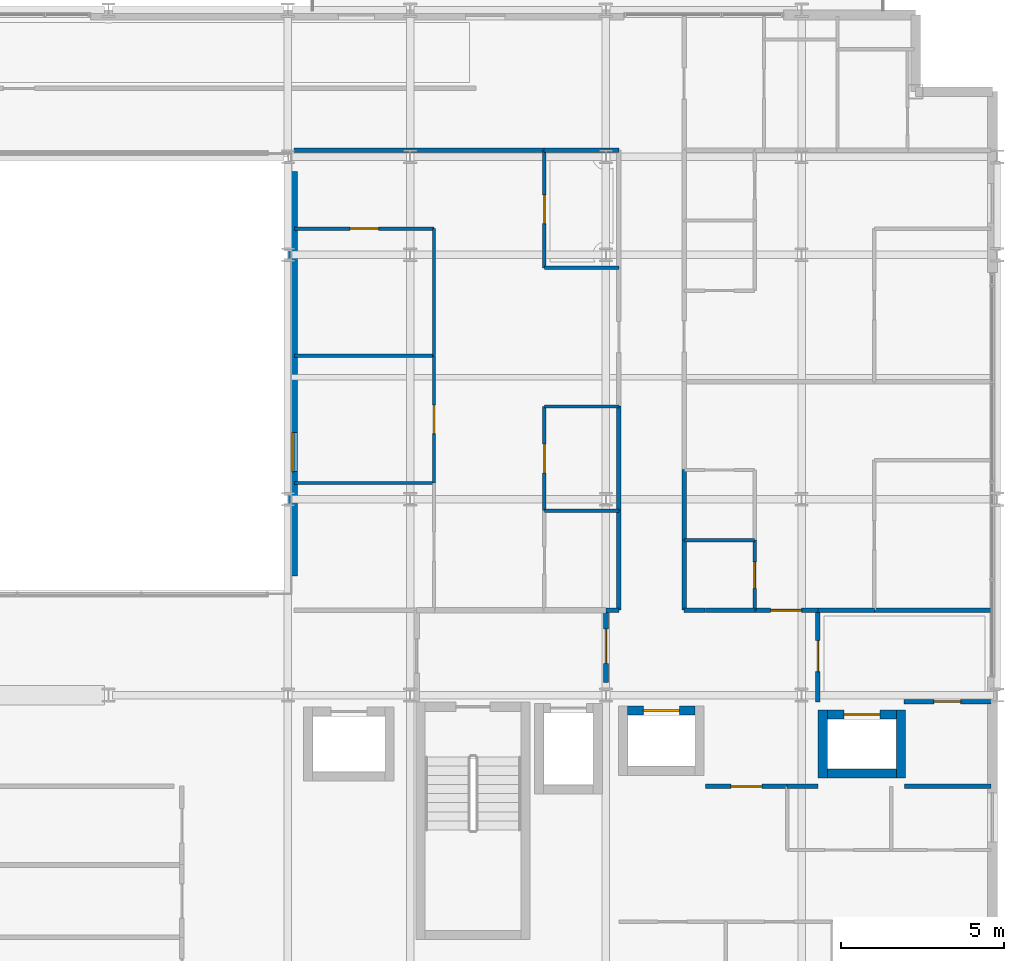
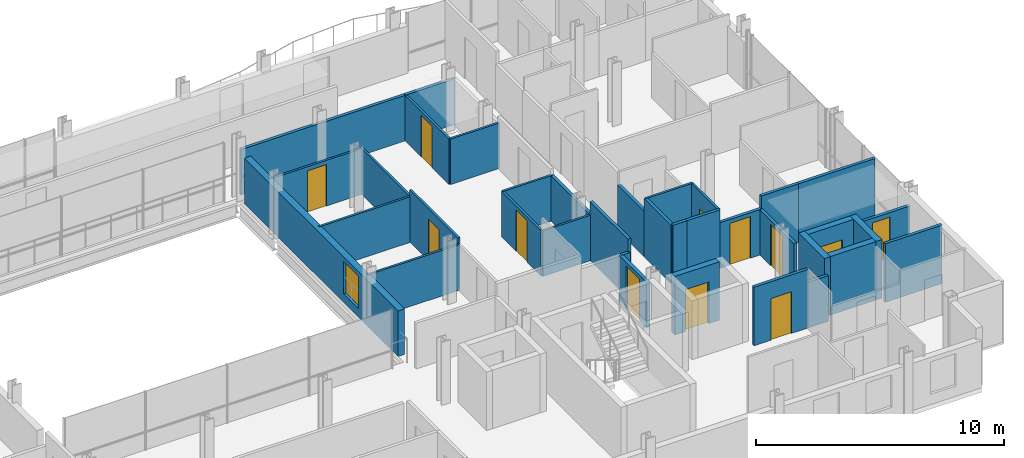
# One storey, part 35 of 41: 36 walls, 12 doors, 1 window, 13 openings.
"""IFC4 building model written with IfcOpenShell, lengths in metres."""

from ifc_helpers import new_model, si_unit, direction, frame, frame_2d, origin, place, context, subcontext, project, spatial, rectangle, extrude, material, layer, layer_set, type_object, element, fill, save


model = new_model("IFC4")

# Units and contexts
model_context = context("Model", 3, precision=1e-05, world=origin(), true_north=direction((0.0, 1.0)))
body_context = subcontext(model_context, "Body", "Model", "MODEL_VIEW")
ifc_project = project(units=[si_unit("LENGTHUNIT", "METRE"), si_unit("AREAUNIT", "SQUARE_METRE"), si_unit("VOLUMEUNIT", "CUBIC_METRE"), si_unit("PLANEANGLEUNIT", "RADIAN"), si_unit("MASSUNIT", "GRAM", prefix="KILO")], contexts=[model_context])

# Site, building, storey
site_placement = place(None, origin())
site = spatial("IfcSite", under=ifc_project, at=site_placement, CompositionType="ELEMENT")
building_placement = place(site_placement, origin())
building = spatial("IfcBuilding", under=site, at=building_placement, Name="Brevholm Reach", CompositionType="ELEMENT")
storey_placement = place(building_placement, frame((0.0, 0.0, 112.800048828125)))
storey = spatial("IfcBuildingStorey", under=building, at=storey_placement, Name="L33", CompositionType="ELEMENT", Elevation=112.800048828125)

# Wall, opening, door
ifc_material_1 = material(Name="Concrete C50/60", Category="concrete")
ifc_layer_1 = layer(ifc_material_1, 0.280029296875)
ifc_layer_set_1 = layer_set([ifc_layer_1], Name="Concrete C50/60")
wall_type_1 = type_object("IfcWallType", Name="WAL-COR-280", PredefinedType="SHEAR", material=ifc_layer_set_1)
wall_1_placement = place(storey_placement, frame((48.6650390625, 9.52490234375, 0.0), z_axis=(0.0, 0.0, 1.0), x_axis=(1.0, 0.0, 0.0)))
wall_1 = element("IfcWall", 1, at=wall_1_placement, inside=storey, type_object=wall_type_1, Name="L33 Lift PL-L1 Shaft Wall N", PredefinedType="SHEAR", context=body_context, shape_type="SweptSolid", body=[
    extrude(rectangle(XDim=2.070068359375, YDim=0.280029296875, at=frame_2d((1.03515625, 0.0))), origin(), (0.0, 0.0, 1.0), 2.8798828125),
])
opening_1_placement = place(wall_1_placement, frame((0.485107421875, 0.0, 0.0)))
opening_1 = element("IfcOpeningElement", 2, at=opening_1_placement, cuts=wall_1, Name="Opening LD-PL-L1", PredefinedType="OPENING", context=body_context, shape_type="SweptSolid", body=[
    extrude(rectangle(XDim=1.10009765625, YDim=2.06005859375, at=frame_2d((0.550048828125, 1.030029296875))), frame((0.0, 0.14990234375, 0.0), z_axis=(0.0, -1.0, 0.0), x_axis=(1.0, 0.0, 0.0)), (0.0, 0.0, 1.0), 0.300048828125),
])
ifc_material_2 = material(Name="Brushed Stainless Steel Fire-Rated Sliding Lift Door", Category="steel")
door_type_1 = type_object("IfcDoorType", Name="DOR-LFT-1100", OperationType="NOTDEFINED", PredefinedType="DOOR", material=ifc_material_2)
door_1_placement = place(opening_1_placement, origin())
door_1 = element("IfcDoor", 3, at=door_1_placement, inside=storey, type_object=door_type_1, Name="L33 Lift PL-L1 Sliding Landing Door", OperationType="SLIDING_TO_LEFT", OverallHeight=2.06005859375, OverallWidth=1.10009765625, PredefinedType="DOOR", context=body_context, shape_type="SweptSolid", body=[
    extrude(rectangle(XDim=1.10009765625, YDim=2.06005859375, at=frame_2d((0.550048828125, 1.030029296875))), frame((0.0, 0.02490234375, 0.0), z_axis=(0.0, -1.0, 0.0), x_axis=(1.0, 0.0, 0.0)), (0.0, 0.0, 1.0), 0.050048828125),
])
fill(opening_1, door_1)

# Walls
for number, where, z_axis, x_axis, name in (
    (4, (54.64990234375, 7.4599609375, 0.0), (0.0, 0.0, 1.0), (0.0, 1.0, 0.0), "L33 Lift PL-L2 Shaft Wall W"),
    (5, (57.050048828125, 7.4599609375, 0.0), (0.0, 0.0, 1.0), (0.0, 1.0, 0.0), "L33 Lift PL-L2 Shaft Wall E"),
):
    element("IfcWall", number, at=place(storey_placement, frame(where, z_axis=z_axis, x_axis=x_axis)), inside=storey, type_object=wall_type_1, Name=name, PredefinedType="SHEAR", context=body_context, shape_type="SweptSolid", body=[
        extrude(rectangle(XDim=2.080078125, YDim=0.280029296875, at=frame_2d((1.0400390625, 0.0))), origin(), (0.0, 0.0, 1.0), 2.8798828125),
    ])
wall_2_placement = place(storey_placement, frame((54.7900390625, 7.60009765625, 0.0), z_axis=(0.0, 0.0, 1.0), x_axis=(1.0, 0.0, 0.0)))
element("IfcWall", 6, at=wall_2_placement, inside=storey, type_object=wall_type_1, Name="L33 Lift PL-L2 Shaft Wall S", PredefinedType="SHEAR", context=body_context, shape_type="SweptSolid", body=[
    extrude(rectangle(XDim=2.119873046875, YDim=0.280029296875, at=frame_2d((1.06005859375, 0.0))), origin(), (0.0, 0.0, 1.0), 2.8798828125),
])

# Wall, opening, door
wall_3_placement = place(storey_placement, frame((54.7900390625, 9.39990234375, 0.0), z_axis=(0.0, 0.0, 1.0), x_axis=(1.0, 0.0, 0.0)))
wall_3 = element("IfcWall", 7, at=wall_3_placement, inside=storey, type_object=wall_type_1, Name="L33 Lift PL-L2 Shaft Wall N", PredefinedType="SHEAR", context=body_context, shape_type="SweptSolid", body=[
    extrude(rectangle(XDim=2.119873046875, YDim=0.280029296875, at=frame_2d((1.06005859375, 0.0))), origin(), (0.0, 0.0, 1.0), 2.8798828125),
])
opening_2_placement = place(wall_3_placement, frame((0.510009765625, 0.0, 0.0)))
opening_2 = element("IfcOpeningElement", 8, at=opening_2_placement, cuts=wall_3, Name="Opening LD-PL-L2", PredefinedType="OPENING", context=body_context, shape_type="SweptSolid", body=[
    extrude(rectangle(XDim=1.10009765625, YDim=2.06005859375, at=frame_2d((0.550048828125, 1.030029296875))), frame((0.0, 0.14990234375, 0.0), z_axis=(0.0, -1.0, 0.0), x_axis=(1.0, 0.0, 0.0)), (0.0, 0.0, 1.0), 0.300048828125),
])
door_2_placement = place(opening_2_placement, origin())
door_2 = element("IfcDoor", 9, at=door_2_placement, inside=storey, type_object=door_type_1, Name="L33 Lift PL-L2 Sliding Landing Door", OperationType="SLIDING_TO_RIGHT", OverallHeight=2.06005859375, OverallWidth=1.10009765625, PredefinedType="DOOR", context=body_context, shape_type="SweptSolid", body=[
    extrude(rectangle(XDim=1.10009765625, YDim=2.06005859375, at=frame_2d((0.550048828125, 1.030029296875))), frame((0.0, 0.02490234375, 0.0), z_axis=(0.0, -1.0, 0.0), x_axis=(1.0, 0.0, 0.0)), (0.0, 0.0, 1.0), 0.050048828125),
])
fill(opening_2, door_2)

# Wall, opening, window
ifc_material_3 = material(Name="Concrete C40/50", Category="concrete")
ifc_layer_2 = layer(ifc_material_3, 0.300048828125)
ifc_layer_set_2 = layer_set([ifc_layer_2], Name="Concrete C40/50")
wall_type_2 = type_object("IfcWallType", Name="WAL-EXT-300", PredefinedType="STANDARD", material=ifc_layer_set_2)
wall_4_placement = place(storey_placement, frame((38.39990234375, 13.64990234375, 0.0), z_axis=(0.0, 0.0, 1.0), x_axis=(0.0, 1.0, 0.0)))
wall_4 = element("IfcWall", 10, at=wall_4_placement, inside=storey, type_object=wall_type_2, Name="L33 Facade Wall WAL-L33-AT-E", PredefinedType="STANDARD", context=body_context, shape_type="SweptSolid", body=[
    extrude(rectangle(XDim=12.400146484375, YDim=0.300048828125, at=frame_2d((6.2001953125, 0.0))), origin(), (0.0, 0.0, 1.0), 2.24267578125),
])
opening_3_placement = place(wall_4_placement, frame((3.199951171875, 0.0, 0.423095703125)))
opening_3 = element("IfcOpeningElement", 11, at=opening_3_placement, cuts=wall_4, Name="Opening WN-08", PredefinedType="OPENING", context=body_context, shape_type="SweptSolid", body=[
    extrude(rectangle(XDim=1.199951171875, YDim=1.60009765625, at=frame_2d((0.60009765625, 0.800048828125))), frame((0.0, 0.159912109375, 0.0), z_axis=(0.0, -1.0, 0.0), x_axis=(1.0, 0.0, 0.0)), (0.0, 0.0, 1.0), 0.320068359375),
])
ifc_material_4 = material(Name="Dark Anodised Aluminium and Solar-Control IGU Glass", Category="aluminium")
window_type = type_object("IfcWindowType", Name="WIN-RES-1200", PartitioningType="SINGLE_PANEL", PredefinedType="WINDOW", material=ifc_material_4)
window_placement = place(opening_3_placement, origin())
window = element("IfcWindow", 12, at=window_placement, inside=storey, type_object=window_type, Name="L33 Window WIN-L33-AT-E1", OverallHeight=1.60009765625, OverallWidth=1.199951171875, PartitioningType="SINGLE_PANEL", PredefinedType="WINDOW", context=body_context, shape_type="SweptSolid", body=[
    extrude(rectangle(XDim=1.199951171875, YDim=1.60009765625, at=frame_2d((0.60009765625, 0.800048828125))), frame((0.0, 0.030029296875, 0.0), z_axis=(0.0, -1.0, 0.0), x_axis=(1.0, 0.0, 0.0)), (0.0, 0.0, 1.0), 0.06005859375),
])
fill(opening_3, window)

# Walls
ifc_material_5 = material(Name="Moisture-Resistant Acoustic Gypsum Stud Partition 100 mm", Category="gypsum")
ifc_layer_3 = layer(ifc_material_5, 0.10009765625)
ifc_layer_set_3 = layer_set([ifc_layer_3], Name="Moisture-Resistant Acoustic Gypsum Stud Partition 100 mm")
wall_type_3 = type_object("IfcWallType", Name="WAL-PRT-100", PredefinedType="PARTITIONING", material=ifc_layer_set_3)
for number, where, z_axis, x_axis, name in (
    (13, (46.112060546875, 15.64990234375, 0.0), (0.0, 0.0, 1.0), (1.0, 0.0, 0.0), "L33 Internal Partition 120"),
    (14, (46.112060546875, 18.85009765625, 0.0), (0.0, 0.0, 1.0), (1.0, 0.0, 0.0), "L33 Internal Partition 122"),
):
    element("IfcWall", number, at=place(storey_placement, frame(where, z_axis=z_axis, x_axis=x_axis)), inside=storey, type_object=wall_type_3, Name=name, PredefinedType="PARTITIONING", context=body_context, shape_type="SweptSolid", body=[
        extrude(rectangle(XDim=2.283935546875, YDim=0.10009765625, at=frame_2d((1.14208984375, 0.0))), origin(), (0.0, 0.0, 1.0), 2.24267578125),
    ])

# Wall, opening, door
wall_5_placement = place(storey_placement, frame((46.112060546875, 15.654052734375, 0.0), z_axis=(0.0, 0.0, 1.0), x_axis=(0.0, 1.0, 0.0)))
wall_5 = element("IfcWall", 15, at=wall_5_placement, inside=storey, type_object=wall_type_3, Name="L33 Internal Partition 123", PredefinedType="PARTITIONING", context=body_context, shape_type="SweptSolid", body=[
    extrude(rectangle(XDim=3.196044921875, YDim=0.10009765625, at=frame_2d((1.59814453125, 0.0))), origin(), (0.0, 0.0, 1.0), 2.24267578125),
])
opening_4_placement = place(wall_5_placement, frame((1.157958984375, 0.0, 0.0)))
opening_4 = element("IfcOpeningElement", 16, at=opening_4_placement, cuts=wall_5, Name="Opening ID-01", PredefinedType="OPENING", context=body_context, shape_type="SweptSolid", body=[
    extrude(rectangle(XDim=0.8798828125, YDim=2.0400390625, at=frame_2d((0.43994140625, 1.02001953125))), frame((0.0, 0.06005859375, 0.0), z_axis=(0.0, -1.0, 0.0), x_axis=(1.0, 0.0, 0.0)), (0.0, 0.0, 1.0), 0.1201171875),
])
ifc_material_6 = material(Name="Lacquered Ash Solid-Core Acoustic Internal Door", Category="timber")
door_type_2 = type_object("IfcDoorType", Name="DOR-INT-880", OperationType="NOTDEFINED", PredefinedType="DOOR", material=ifc_material_6)
door_3_placement = place(opening_4_placement, origin())
door_3 = element("IfcDoor", 17, at=door_3_placement, inside=storey, type_object=door_type_2, Name="L33 Internal Door 045", OperationType="SINGLE_SWING_LEFT", OverallHeight=2.0400390625, OverallWidth=0.8798828125, PredefinedType="DOOR", context=body_context, shape_type="SweptSolid", body=[
    extrude(rectangle(XDim=0.8798828125, YDim=2.0400390625, at=frame_2d((0.43994140625, 1.02001953125))), frame((0.0, 0.02490234375, 0.0), z_axis=(0.0, -1.0, 0.0), x_axis=(1.0, 0.0, 0.0)), (0.0, 0.0, 1.0), 0.050048828125),
])
fill(opening_4, door_3)

# Wall
wall_6_placement = place(storey_placement, frame((46.112060546875, 23.10009765625, 0.0), z_axis=(0.0, 0.0, 1.0), x_axis=(1.0, 0.0, 0.0)))
element("IfcWall", 18, at=wall_6_placement, inside=storey, type_object=wall_type_3, Name="L33 Internal Partition 124", PredefinedType="PARTITIONING", context=body_context, shape_type="SweptSolid", body=[
    extrude(rectangle(XDim=2.283935546875, YDim=0.10009765625, at=frame_2d((1.14208984375, 0.0))), origin(), (0.0, 0.0, 1.0), 2.24267578125),
])

# Wall, opening, door
wall_7_placement = place(storey_placement, frame((46.112060546875, 23.10009765625, 0.0), z_axis=(0.0, 0.0, 1.0), x_axis=(0.0, 1.0, 0.0)))
wall_7 = element("IfcWall", 19, at=wall_7_placement, inside=storey, type_object=wall_type_3, Name="L33 Internal Partition 125", PredefinedType="PARTITIONING", context=body_context, shape_type="SweptSolid", body=[
    extrude(rectangle(XDim=3.595947265625, YDim=0.10009765625, at=frame_2d((1.7978515625, 0.0))), origin(), (0.0, 0.0, 1.0), 2.24267578125),
])
opening_5_placement = place(wall_7_placement, frame((1.35791015625, 0.0, 0.0)))
opening_5 = element("IfcOpeningElement", 20, at=opening_5_placement, cuts=wall_7, Name="Opening ID-01", PredefinedType="OPENING", context=body_context, shape_type="SweptSolid", body=[
    extrude(rectangle(XDim=0.8798828125, YDim=2.0400390625, at=frame_2d((0.43994140625, 1.02001953125))), frame((0.0, 0.06005859375, 0.0), z_axis=(0.0, -1.0, 0.0), x_axis=(1.0, 0.0, 0.0)), (0.0, 0.0, 1.0), 0.1201171875),
])
door_4_placement = place(opening_5_placement, origin())
door_4 = element("IfcDoor", 21, at=door_4_placement, inside=storey, type_object=door_type_2, Name="L33 Internal Door 046", OperationType="SINGLE_SWING_RIGHT", OverallHeight=2.0400390625, OverallWidth=0.8798828125, PredefinedType="DOOR", context=body_context, shape_type="SweptSolid", body=[
    extrude(rectangle(XDim=0.8798828125, YDim=2.0400390625, at=frame_2d((0.43994140625, 1.02001953125))), frame((0.0, 0.02490234375, 0.0), z_axis=(0.0, -1.0, 0.0), x_axis=(1.0, 0.0, 0.0)), (0.0, 0.0, 1.0), 0.050048828125),
])
fill(opening_5, door_4)

# Walls
for number, where, z_axis, x_axis, name in (
    (22, (38.449951171875, 16.5, 0.0), (0.0, 0.0, 1.0), (1.0, 0.0, 0.0), "L33 Internal Partition 126"),
    (23, (38.449951171875, 20.39990234375, 0.0), (0.0, 0.0, 1.0), (1.0, 0.0, 0.0), "L33 Internal Partition 128"),
):
    element("IfcWall", number, at=place(storey_placement, frame(where, z_axis=z_axis, x_axis=x_axis)), inside=storey, type_object=wall_type_3, Name=name, PredefinedType="PARTITIONING", context=body_context, shape_type="SweptSolid", body=[
        extrude(rectangle(XDim=4.278076171875, YDim=0.10009765625, at=frame_2d((2.13916015625, 0.0))), origin(), (0.0, 0.0, 1.0), 2.24267578125),
    ])

# Wall, opening, door
wall_8_placement = place(storey_placement, frame((42.72802734375, 16.50390625, 0.0), z_axis=(0.0, 0.0, 1.0), x_axis=(0.0, 1.0, 0.0)))
wall_8 = element("IfcWall", 24, at=wall_8_placement, inside=storey, type_object=wall_type_3, Name="L33 Internal Partition 129", PredefinedType="PARTITIONING", context=body_context, shape_type="SweptSolid", body=[
    extrude(rectangle(XDim=3.89599609375, YDim=0.10009765625, at=frame_2d((1.947998046875, 0.0))), origin(), (0.0, 0.0, 1.0), 2.551513671875),
])
opening_6_placement = place(wall_8_placement, frame((1.508056640625, 0.0, 0.0)))
opening_6 = element("IfcOpeningElement", 25, at=opening_6_placement, cuts=wall_8, Name="Opening ID-01", PredefinedType="OPENING", context=body_context, shape_type="SweptSolid", body=[
    extrude(rectangle(XDim=0.8798828125, YDim=2.0400390625, at=frame_2d((0.43994140625, 1.02001953125))), frame((0.0, 0.06005859375, 0.0), z_axis=(0.0, -1.0, 0.0), x_axis=(1.0, 0.0, 0.0)), (0.0, 0.0, 1.0), 0.1201171875),
])
door_5_placement = place(opening_6_placement, origin())
door_5 = element("IfcDoor", 26, at=door_5_placement, inside=storey, type_object=door_type_2, Name="L33 Internal Door 048", OperationType="SINGLE_SWING_RIGHT", OverallHeight=2.0400390625, OverallWidth=0.8798828125, PredefinedType="DOOR", context=body_context, shape_type="SweptSolid", body=[
    extrude(rectangle(XDim=0.8798828125, YDim=2.0400390625, at=frame_2d((0.43994140625, 1.02001953125))), frame((0.0, 0.02490234375, 0.0), z_axis=(0.0, -1.0, 0.0), x_axis=(1.0, 0.0, 0.0)), (0.0, 0.0, 1.0), 0.050048828125),
])
fill(opening_6, door_5)

# Wall
wall_9_placement = place(storey_placement, frame((42.72802734375, 20.404052734375, 0.0), z_axis=(0.0, 0.0, 1.0), x_axis=(0.0, 1.0, 0.0)))
element("IfcWall", 27, at=wall_9_placement, inside=storey, type_object=wall_type_3, Name="L33 Internal Partition 130", PredefinedType="PARTITIONING", context=body_context, shape_type="SweptSolid", body=[
    extrude(rectangle(XDim=3.89599609375, YDim=0.10009765625, at=frame_2d((1.947998046875, 0.0))), origin(), (0.0, 0.0, 1.0), 2.24267578125),
])

# Wall, opening, door
wall_10_placement = place(storey_placement, frame((38.449951171875, 24.300048828125, 0.0), z_axis=(0.0, 0.0, 1.0), x_axis=(1.0, 0.0, 0.0)))
wall_10 = element("IfcWall", 28, at=wall_10_placement, inside=storey, type_object=wall_type_3, Name="L33 Internal Partition 131", PredefinedType="PARTITIONING", context=body_context, shape_type="SweptSolid", body=[
    extrude(rectangle(XDim=4.278076171875, YDim=0.10009765625, at=frame_2d((2.13916015625, 0.0))), origin(), (0.0, 0.0, 1.0), 2.24267578125),
])
opening_7_placement = place(wall_10_placement, frame((1.698974609375, 0.0, 0.0)))
opening_7 = element("IfcOpeningElement", 29, at=opening_7_placement, cuts=wall_10, Name="Opening ID-01", PredefinedType="OPENING", context=body_context, shape_type="SweptSolid", body=[
    extrude(rectangle(XDim=0.8798828125, YDim=2.0400390625, at=frame_2d((0.43994140625, 1.02001953125))), frame((0.0, 0.06005859375, 0.0), z_axis=(0.0, -1.0, 0.0), x_axis=(1.0, 0.0, 0.0)), (0.0, 0.0, 1.0), 0.1201171875),
])
door_6_placement = place(opening_7_placement, origin())
door_6 = element("IfcDoor", 30, at=door_6_placement, inside=storey, type_object=door_type_2, Name="L33 Internal Door 049", OperationType="SINGLE_SWING_LEFT", OverallHeight=2.0400390625, OverallWidth=0.8798828125, PredefinedType="DOOR", context=body_context, shape_type="SweptSolid", body=[
    extrude(rectangle(XDim=0.8798828125, YDim=2.0400390625, at=frame_2d((0.43994140625, 1.02001953125))), frame((0.0, 0.02490234375, 0.0), z_axis=(0.0, -1.0, 0.0), x_axis=(1.0, 0.0, 0.0)), (0.0, 0.0, 1.0), 0.050048828125),
])
fill(opening_7, door_6)

# Wall
wall_11_placement = place(storey_placement, frame((50.404052734375, 14.75, 0.0), z_axis=(0.0, 0.0, 1.0), x_axis=(1.0, 0.0, 0.0)))
element("IfcWall", 31, at=wall_11_placement, inside=storey, type_object=wall_type_3, Name="L33 Internal Partition 132", PredefinedType="PARTITIONING", context=body_context, shape_type="SweptSolid", body=[
    extrude(rectangle(XDim=2.157958984375, YDim=0.10009765625, at=frame_2d((1.0791015625, 0.0))), origin(), (0.0, 0.0, 1.0), 2.8798828125),
])

# Wall, opening, door
wall_12_placement = place(storey_placement, frame((52.56201171875, 12.60400390625, 0.0), z_axis=(0.0, 0.0, 1.0), x_axis=(0.0, 1.0, 0.0)))
wall_12 = element("IfcWall", 32, at=wall_12_placement, inside=storey, type_object=wall_type_3, Name="L33 Internal Partition 133", PredefinedType="PARTITIONING", context=body_context, shape_type="SweptSolid", body=[
    extrude(rectangle(XDim=2.14599609375, YDim=0.10009765625, at=frame_2d((1.072998046875, 0.0))), origin(), (0.0, 0.0, 1.0), 2.8798828125),
])
opening_8_placement = place(wall_12_placement, frame((0.6630859375, 0.0, 0.0)))
opening_8 = element("IfcOpeningElement", 33, at=opening_8_placement, cuts=wall_12, Name="Opening ID-03", PredefinedType="OPENING", context=body_context, shape_type="SweptSolid", body=[
    extrude(rectangle(XDim=0.820068359375, YDim=2.02001953125, at=frame_2d((0.41015625, 1.010009765625))), frame((0.0, 0.06005859375, 0.0), z_axis=(0.0, -1.0, 0.0), x_axis=(1.0, 0.0, 0.0)), (0.0, 0.0, 1.0), 0.1201171875),
])
ifc_material_7 = material(Name="Moisture-Resistant Painted Timber Internal Bathroom Door", Category="wood")
door_type_3 = type_object("IfcDoorType", Name="DOR-BATH-820", OperationType="NOTDEFINED", PredefinedType="DOOR", material=ifc_material_7)
door_7_placement = place(opening_8_placement, origin())
door_7 = element("IfcDoor", 34, at=door_7_placement, inside=storey, type_object=door_type_3, Name="L33 Internal Door 050", OperationType="SINGLE_SWING_RIGHT", OverallHeight=2.02001953125, OverallWidth=0.820068359375, PredefinedType="DOOR", context=body_context, shape_type="SweptSolid", body=[
    extrude(rectangle(XDim=0.820068359375, YDim=2.02001953125, at=frame_2d((0.41015625, 1.010009765625))), frame((0.0, 0.02490234375, 0.0), z_axis=(0.0, -1.0, 0.0), x_axis=(1.0, 0.0, 0.0)), (0.0, 0.0, 1.0), 0.050048828125),
])
fill(opening_8, door_7)

ifc_material_8 = material(Name="Twin-Stud Acoustic Fire-Rated Gypsum Partition 140 mm", Category="gypsum")
ifc_layer_4 = layer(ifc_material_8, 0.139892578125)
ifc_layer_set_4 = layer_set([ifc_layer_4], Name="Twin-Stud Acoustic Fire-Rated Gypsum Partition 140 mm")
wall_type_4 = type_object("IfcWallType", Name="WAL-PRT-140", PredefinedType="PARTITIONING", material=ifc_layer_set_4)
wall_13_placement = place(storey_placement, frame((54.5, 9.788818359375, 0.0), z_axis=(0.0, 0.0, 1.0), x_axis=(0.0, 1.0, 0.0)))
wall_13 = element("IfcWall", 35, at=wall_13_placement, inside=storey, type_object=wall_type_4, Name="L33 Internal Partition 008", PredefinedType="PARTITIONING", context=body_context, shape_type="SweptSolid", body=[
    extrude(rectangle(XDim=2.811279296875, YDim=0.139892578125, at=frame_2d((1.40576171875, 0.0))), origin(), (0.0, 0.0, 1.0), 2.24267578125),
])
opening_9_placement = place(wall_13_placement, frame((0.9306640625, 0.0, 0.0)))
opening_9 = element("IfcOpeningElement", 36, at=opening_9_placement, cuts=wall_13, Name="Opening ID-30", PredefinedType="OPENING", context=body_context, shape_type="SweptSolid", body=[
    extrude(rectangle(XDim=0.949951171875, YDim=2.050048828125, at=frame_2d((0.47509765625, 1.02490234375))), frame((0.0, 0.079833984375, 0.0), z_axis=(0.0, -1.0, 0.0), x_axis=(1.0, 0.0, 0.0)), (0.0, 0.0, 1.0), 0.159912109375),
])
ifc_material_9 = material(Name="European Oak Veneered Solid-Core Fire Entrance Door", Category="timber")
door_type_4 = type_object("IfcDoorType", Name="DOR-FLT-FD30S", OperationType="NOTDEFINED", PredefinedType="DOOR", material=ifc_material_9)
door_8_placement = place(opening_9_placement, origin())
door_8 = element("IfcDoor", 37, at=door_8_placement, inside=storey, type_object=door_type_4, Name="L33 Internal Door 006", OperationType="SINGLE_SWING_RIGHT", OverallHeight=2.050048828125, OverallWidth=0.949951171875, PredefinedType="DOOR", context=body_context, shape_type="SweptSolid", body=[
    extrude(rectangle(XDim=0.949951171875, YDim=2.050048828125, at=frame_2d((0.47509765625, 1.02490234375))), frame((0.0, 0.02490234375, 0.0), z_axis=(0.0, -1.0, 0.0), x_axis=(1.0, 0.0, 0.0)), (0.0, 0.0, 1.0), 0.050048828125),
])
fill(opening_9, door_8)

# Wall
wall_14_placement = place(storey_placement, frame((53.546630859375, 7.199951171875, 0.0), z_axis=(0.0, 0.0, 1.0), x_axis=(1.0, 0.0, 0.0)))
element("IfcWall", 38, at=wall_14_placement, inside=storey, type_object=wall_type_4, Name="L33 Internal Partition 009", PredefinedType="PARTITIONING", context=body_context, shape_type="SweptSolid", body=[
    extrude(rectangle(XDim=0.953369140625, YDim=0.139892578125, at=frame_2d((0.4765625, 0.0))), origin(), (0.0, 0.0, 1.0), 2.24267578125),
])

# Wall, opening, door
wall_15_placement = place(storey_placement, frame((51.050048828125, 7.199951171875, 0.0), z_axis=(0.0, 0.0, 1.0), x_axis=(1.0, 0.0, 0.0)))
wall_15 = element("IfcWall", 39, at=wall_15_placement, inside=storey, type_object=wall_type_4, Name="L33 Internal Partition 010", PredefinedType="PARTITIONING", context=body_context, shape_type="SweptSolid", body=[
    extrude(rectangle(XDim=2.51513671875, YDim=0.139892578125, at=frame_2d((1.257568359375, 0.0))), origin(), (0.0, 0.0, 1.0), 2.8798828125),
])
opening_10_placement = place(wall_15_placement, frame((0.78271484375, 0.0, 0.0)))
opening_10 = element("IfcOpeningElement", 40, at=opening_10_placement, cuts=wall_15, Name="Opening ID-30", PredefinedType="OPENING", context=body_context, shape_type="SweptSolid", body=[
    extrude(rectangle(XDim=0.949951171875, YDim=2.050048828125, at=frame_2d((0.47509765625, 1.02490234375))), frame((0.0, 0.079833984375, 0.0), z_axis=(0.0, -1.0, 0.0), x_axis=(1.0, 0.0, 0.0)), (0.0, 0.0, 1.0), 0.159912109375),
])
door_9_placement = place(opening_10_placement, origin())
door_9 = element("IfcDoor", 41, at=door_9_placement, inside=storey, type_object=door_type_4, Name="L33 Internal Door 007", OperationType="SINGLE_SWING_LEFT", OverallHeight=2.050048828125, OverallWidth=0.949951171875, PredefinedType="DOOR", context=body_context, shape_type="SweptSolid", body=[
    extrude(rectangle(XDim=0.949951171875, YDim=2.050048828125, at=frame_2d((0.47509765625, 1.02490234375))), frame((0.0, 0.02490234375, 0.0), z_axis=(0.0, -1.0, 0.0), x_axis=(1.0, 0.0, 0.0)), (0.0, 0.0, 1.0), 0.050048828125),
])
fill(opening_10, door_9)

# Wall
wall_16_placement = place(storey_placement, frame((51.050048828125, 12.60009765625, 0.0), z_axis=(0.0, 0.0, 1.0), x_axis=(1.0, 0.0, 0.0)))
element("IfcWall", 42, at=wall_16_placement, inside=storey, type_object=wall_type_4, Name="L33 Internal Partition 011", PredefinedType="PARTITIONING", context=body_context, shape_type="SweptSolid", body=[
    extrude(rectangle(XDim=1.523193359375, YDim=0.139892578125, at=frame_2d((0.76171875, 0.0))), origin(), (0.0, 0.0, 1.0), 2.8798828125),
])

# Wall, opening, door
wall_17_placement = place(storey_placement, frame((52.5546875, 12.60009765625, 0.0), z_axis=(0.0, 0.0, 1.0), x_axis=(1.0, 0.0, 0.0)))
wall_17 = element("IfcWall", 43, at=wall_17_placement, inside=storey, type_object=wall_type_4, Name="L33 Internal Partition 012", PredefinedType="PARTITIONING", context=body_context, shape_type="SweptSolid", body=[
    extrude(rectangle(XDim=1.9453125, YDim=0.139892578125, at=frame_2d((0.97265625, 0.0))), origin(), (0.0, 0.0, 1.0), 2.24267578125),
])
opening_11_placement = place(wall_17_placement, frame((0.497802734375, 0.0, 0.0)))
opening_11 = element("IfcOpeningElement", 44, at=opening_11_placement, cuts=wall_17, Name="Opening ID-30", PredefinedType="OPENING", context=body_context, shape_type="SweptSolid", body=[
    extrude(rectangle(XDim=0.949951171875, YDim=2.050048828125, at=frame_2d((0.47509765625, 1.02490234375))), frame((0.0, 0.079833984375, 0.0), z_axis=(0.0, -1.0, 0.0), x_axis=(1.0, 0.0, 0.0)), (0.0, 0.0, 1.0), 0.159912109375),
])
door_10_placement = place(opening_11_placement, origin())
door_10 = element("IfcDoor", 45, at=door_10_placement, inside=storey, type_object=door_type_4, Name="L33 Internal Door 008", OperationType="SINGLE_SWING_RIGHT", OverallHeight=2.050048828125, OverallWidth=0.949951171875, PredefinedType="DOOR", context=body_context, shape_type="SweptSolid", body=[
    extrude(rectangle(XDim=0.949951171875, YDim=2.050048828125, at=frame_2d((0.47509765625, 1.02490234375))), frame((0.0, 0.02490234375, 0.0), z_axis=(0.0, -1.0, 0.0), x_axis=(1.0, 0.0, 0.0)), (0.0, 0.0, 1.0), 0.050048828125),
])
fill(opening_11, door_10)

# Walls
wall_18_placement = place(storey_placement, frame((48.00390625, 12.60009765625, 0.0), z_axis=(0.0, 0.0, 1.0), x_axis=(1.0, 0.0, 0.0)))
element("IfcWall", 46, at=wall_18_placement, inside=storey, type_object=wall_type_4, Name="L33 Internal Partition 031", PredefinedType="PARTITIONING", context=body_context, shape_type="SweptSolid", body=[
    extrude(rectangle(XDim=0.4033203125, YDim=0.139892578125, at=frame_2d((0.20166015625, 0.0))), origin(), (0.0, 0.0, 1.0), 2.24267578125),
])
wall_19_placement = place(storey_placement, frame((50.392578125, 12.60009765625, 0.0), z_axis=(0.0, 0.0, 1.0), x_axis=(1.0, 0.0, 0.0)))
element("IfcWall", 47, at=wall_19_placement, inside=storey, type_object=wall_type_4, Name="L33 Internal Partition 032", PredefinedType="PARTITIONING", context=body_context, shape_type="SweptSolid", body=[
    extrude(rectangle(XDim=0.6533203125, YDim=0.139892578125, at=frame_2d((0.32666015625, 0.0))), origin(), (0.0, 0.0, 1.0), 2.8798828125),
])
wall_20_placement = place(storey_placement, frame((48.39990234375, 12.60400390625, 0.0), z_axis=(0.0, 0.0, 1.0), x_axis=(0.0, 1.0, 0.0)))
element("IfcWall", 48, at=wall_20_placement, inside=storey, type_object=wall_type_4, Name="L33 Internal Partition 046", PredefinedType="PARTITIONING", context=body_context, shape_type="SweptSolid", body=[
    extrude(rectangle(XDim=3.057373046875, YDim=0.139892578125, at=frame_2d((1.52880859375, 0.0))), origin(), (0.0, 0.0, 1.0), 2.8798828125),
])
wall_21_placement = place(storey_placement, frame((48.39990234375, 15.642578125, 0.0), z_axis=(0.0, 0.0, 1.0), x_axis=(0.0, 1.0, 0.0)))
element("IfcWall", 49, at=wall_21_placement, inside=storey, type_object=wall_type_4, Name="L33 Internal Partition 047", PredefinedType="PARTITIONING", context=body_context, shape_type="SweptSolid", body=[
    extrude(rectangle(XDim=3.21875, YDim=0.139892578125, at=frame_2d((1.609375, 0.0))), origin(), (0.0, 0.0, 1.0), 2.24267578125),
])
wall_22_placement = place(storey_placement, frame((50.39990234375, 12.60400390625, 0.0), z_axis=(0.0, 0.0, 1.0), x_axis=(0.0, 1.0, 0.0)))
element("IfcWall", 50, at=wall_22_placement, inside=storey, type_object=wall_type_4, Name="L33 Internal Partition 050", PredefinedType="PARTITIONING", context=body_context, shape_type="SweptSolid", body=[
    extrude(rectangle(XDim=2.1572265625, YDim=0.139892578125, at=frame_2d((1.07861328125, 0.0))), origin(), (0.0, 0.0, 1.0), 2.8798828125),
])
wall_23_placement = place(storey_placement, frame((50.39990234375, 14.74267578125, 0.0), z_axis=(0.0, 0.0, 1.0), x_axis=(0.0, 1.0, 0.0)))
element("IfcWall", 51, at=wall_23_placement, inside=storey, type_object=wall_type_4, Name="L33 Internal Partition 051", PredefinedType="PARTITIONING", context=body_context, shape_type="SweptSolid", body=[
    extrude(rectangle(XDim=2.168701171875, YDim=0.139892578125, at=frame_2d((1.08447265625, 0.0))), origin(), (0.0, 0.0, 1.0), 2.24267578125),
])
wall_24_placement = place(storey_placement, frame((46.1005859375, 26.699951171875, 0.0), z_axis=(0.0, 0.0, 1.0), x_axis=(1.0, 0.0, 0.0)))
element("IfcWall", 52, at=wall_24_placement, inside=storey, type_object=wall_type_4, Name="L33 Internal Partition 059", PredefinedType="PARTITIONING", context=body_context, shape_type="SweptSolid", body=[
    extrude(rectangle(XDim=2.29541015625, YDim=0.139892578125, at=frame_2d((1.147705078125, 0.0))), origin(), (0.0, 0.0, 1.0), 2.24267578125),
])
wall_25_placement = place(storey_placement, frame((38.438720703125, 26.699951171875, 0.0), z_axis=(0.0, 0.0, 1.0), x_axis=(1.0, 0.0, 0.0)))
element("IfcWall", 53, at=wall_25_placement, inside=storey, type_object=wall_type_4, Name="L33 Internal Partition 060", PredefinedType="PARTITIONING", context=body_context, shape_type="SweptSolid", body=[
    extrude(rectangle(XDim=7.6806640625, YDim=0.139892578125, at=frame_2d((3.84033203125, 0.0))), origin(), (0.0, 0.0, 1.0), 2.24267578125),
])

# Wall, opening, door
wall_26_placement = place(storey_placement, frame((57.138671875, 9.800048828125, 0.0), z_axis=(0.0, 0.0, 1.0), x_axis=(1.0, 0.0, 0.0)))
wall_26 = element("IfcWall", 54, at=wall_26_placement, inside=storey, type_object=wall_type_4, Name="L33 Internal Partition 075", PredefinedType="PARTITIONING", context=body_context, shape_type="SweptSolid", body=[
    extrude(rectangle(XDim=2.661376953125, YDim=0.139892578125, at=frame_2d((1.33056640625, 0.0))), origin(), (0.0, 0.0, 1.0), 2.24267578125),
])
opening_12_placement = place(wall_26_placement, frame((0.920654296875, 0.0, 0.0)))
opening_12 = element("IfcOpeningElement", 55, at=opening_12_placement, cuts=wall_26, Name="Opening ID-02", PredefinedType="OPENING", context=body_context, shape_type="SweptSolid", body=[
    extrude(rectangle(XDim=0.820068359375, YDim=2.02001953125, at=frame_2d((0.41015625, 1.010009765625))), frame((0.0, 0.079833984375, 0.0), z_axis=(0.0, -1.0, 0.0), x_axis=(1.0, 0.0, 0.0)), (0.0, 0.0, 1.0), 0.159912109375),
])
ifc_material_10 = material(Name="Moisture-Resistant Painted Timber Fire-Rated Riser and Service Door", Category="wood")
door_type_5 = type_object("IfcDoorType", Name="DOR-SRV-820", OperationType="NOTDEFINED", PredefinedType="DOOR", material=ifc_material_10)
door_11_placement = place(opening_12_placement, origin())
door_11 = element("IfcDoor", 56, at=door_11_placement, inside=storey, type_object=door_type_5, Name="L33 Access Door 060", OperationType="SINGLE_SWING_RIGHT", OverallHeight=2.02001953125, OverallWidth=0.820068359375, PredefinedType="DOOR", context=body_context, shape_type="SweptSolid", body=[
    extrude(rectangle(XDim=0.820068359375, YDim=2.02001953125, at=frame_2d((0.41015625, 1.010009765625))), frame((0.0, 0.02490234375, 0.0), z_axis=(0.0, -1.0, 0.0), x_axis=(1.0, 0.0, 0.0)), (0.0, 0.0, 1.0), 0.050048828125),
])
fill(opening_12, door_11)

# Walls
wall_27_placement = place(storey_placement, frame((56.216796875, 12.60009765625, 0.0), z_axis=(0.0, 0.0, 1.0), x_axis=(1.0, 0.0, 0.0)))
element("IfcWall", 57, at=wall_27_placement, inside=storey, type_object=wall_type_4, Name="L33 Internal Partition 076", PredefinedType="PARTITIONING", context=body_context, shape_type="SweptSolid", body=[
    extrude(rectangle(XDim=3.583251953125, YDim=0.139892578125, at=frame_2d((1.79150390625, 0.0))), origin(), (0.0, 0.0, 1.0), 2.8798828125),
])
wall_28_placement = place(storey_placement, frame((54.50390625, 12.60009765625, 0.0), z_axis=(0.0, 0.0, 1.0), x_axis=(1.0, 0.0, 0.0)))
element("IfcWall", 58, at=wall_28_placement, inside=storey, type_object=wall_type_4, Name="L33 Internal Partition 077", PredefinedType="PARTITIONING", context=body_context, shape_type="SweptSolid", body=[
    extrude(rectangle(XDim=1.7314453125, YDim=0.139892578125, at=frame_2d((0.86572265625, 0.0))), origin(), (0.0, 0.0, 1.0), 2.8798828125),
])
wall_29_placement = place(storey_placement, frame((57.14990234375, 7.199951171875, 0.0), z_axis=(0.0, 0.0, 1.0), x_axis=(1.0, 0.0, 0.0)))
element("IfcWall", 59, at=wall_29_placement, inside=storey, type_object=wall_type_4, Name="L33 Internal Partition 078", PredefinedType="PARTITIONING", context=body_context, shape_type="SweptSolid", body=[
    extrude(rectangle(XDim=2.650146484375, YDim=0.139892578125, at=frame_2d((1.3251953125, 0.0))), origin(), (0.0, 0.0, 1.0), 2.8798828125),
])

# Wall, opening, door
ifc_material_11 = material(Name="Twin-Frame Fire-Rated Gypsum Board and Mineral Wool 160 mm", Category="gypsum")
ifc_layer_5 = layer(ifc_material_11, 0.159912109375)
ifc_layer_set_5 = layer_set([ifc_layer_5], Name="Twin-Frame Fire-Rated Gypsum Board and Mineral Wool 160 mm")
wall_type_5 = type_object("IfcWallType", Name="WAL-PRT-160", PredefinedType="PARTITIONING", material=ifc_layer_set_5)
wall_30_placement = place(storey_placement, frame((48.0, 10.388671875, 0.0), z_axis=(0.0, 0.0, 1.0), x_axis=(0.0, 1.0, 0.0)))
wall_30 = element("IfcWall", 60, at=wall_30_placement, inside=storey, type_object=wall_type_5, Name="L33 Internal Partition 020", PredefinedType="PARTITIONING", context=body_context, shape_type="SweptSolid", body=[
    extrude(rectangle(XDim=2.21142578125, YDim=0.159912109375, at=frame_2d((1.105712890625, 0.0))), origin(), (0.0, 0.0, 1.0), 2.24267578125),
])
opening_13_placement = place(wall_30_placement, frame((0.58056640625, 0.0, 0.0)))
opening_13 = element("IfcOpeningElement", 61, at=opening_13_placement, cuts=wall_30, Name="Opening FD-01", PredefinedType="OPENING", context=body_context, shape_type="SweptSolid", body=[
    extrude(rectangle(XDim=1.050048828125, YDim=2.06005859375, at=frame_2d((0.52490234375, 1.030029296875))), frame((0.0, 0.08984375, 0.0), z_axis=(0.0, -1.0, 0.0), x_axis=(1.0, 0.0, 0.0)), (0.0, 0.0, 1.0), 0.179931640625),
])
ifc_material_12 = material(Name="Hardwood-Lipped Steel-Core Fire and Smoke Door", Category="steel")
door_type_6 = type_object("IfcDoorType", Name="DOR-INT-FD60S", OperationType="NOTDEFINED", PredefinedType="DOOR", material=ifc_material_12)
door_12_placement = place(opening_13_placement, origin())
door_12 = element("IfcDoor", 62, at=door_12_placement, inside=storey, type_object=door_type_6, Name="L33 Internal Door 012", OperationType="SINGLE_SWING_RIGHT", OverallHeight=2.06005859375, OverallWidth=1.050048828125, PredefinedType="DOOR", context=body_context, shape_type="SweptSolid", body=[
    extrude(rectangle(XDim=1.050048828125, YDim=2.06005859375, at=frame_2d((0.52490234375, 1.030029296875))), frame((0.0, 0.02490234375, 0.0), z_axis=(0.0, -1.0, 0.0), x_axis=(1.0, 0.0, 0.0)), (0.0, 0.0, 1.0), 0.050048828125),
])
fill(opening_13, door_12)

save(model, "model.ifc")
